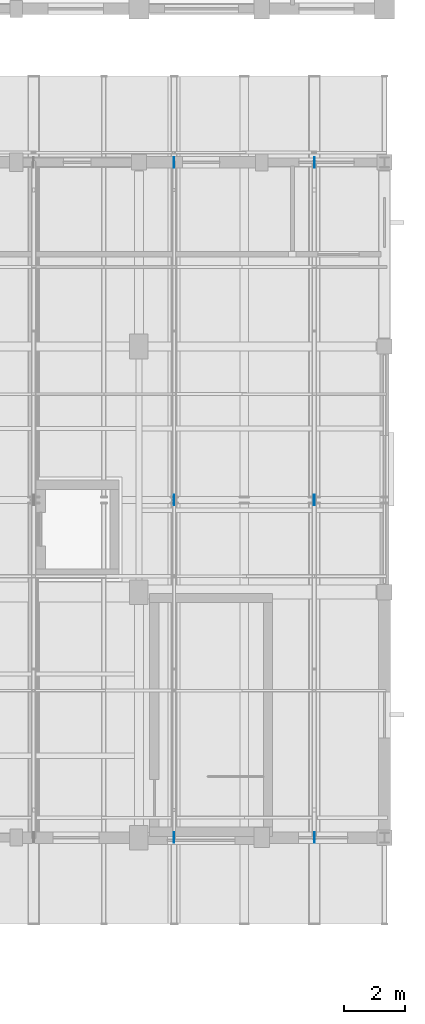
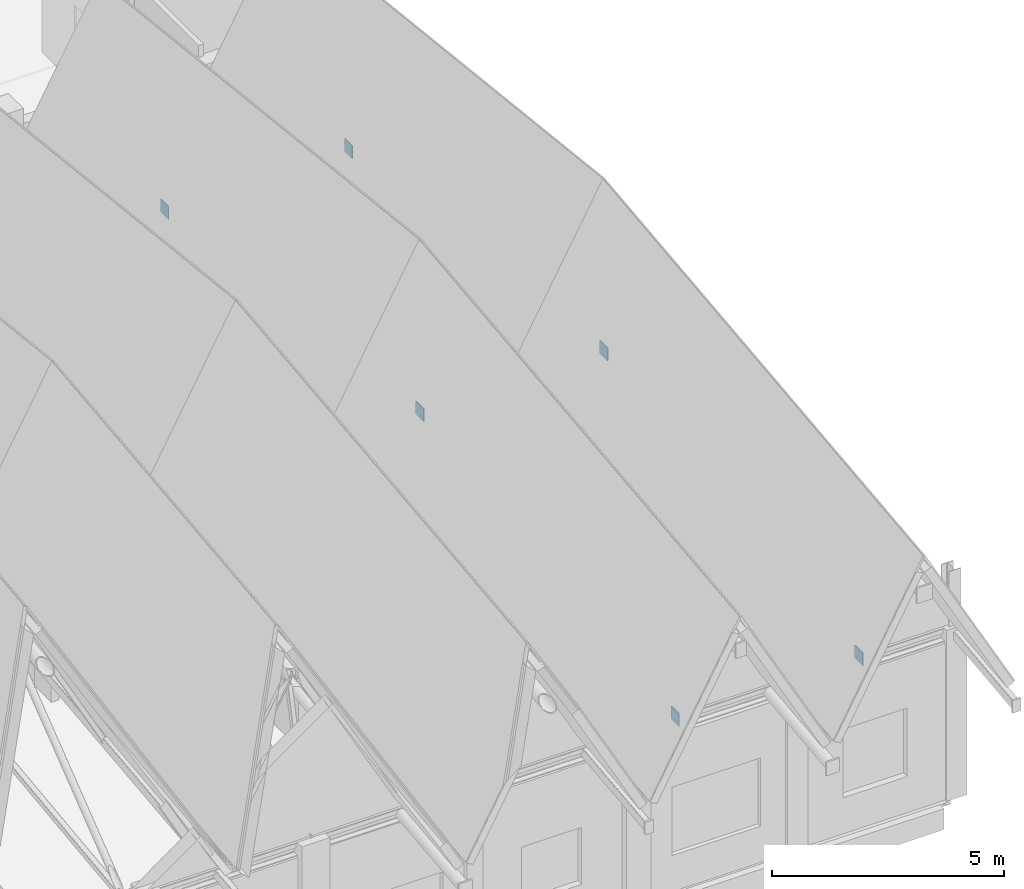
# One storey, part 29 of 48: 6 plates.
"""IFC4 building model written with IfcOpenShell, lengths in metres."""

from ifc_helpers import new_model, si_unit, direction, frame, origin, origin_2d, place, context, subcontext, project, spatial, rectangle, extrude, material, layer, layer_set, type_object, element, save


model = new_model("IFC4")

# Units and contexts
model_context = context("Model", 3, precision=1e-05, world=origin(), true_north=direction((0.0, 1.0)))
body_context = subcontext(model_context, "Body", "Model", "MODEL_VIEW")
ifc_project = project(units=[si_unit("LENGTHUNIT", "METRE"), si_unit("AREAUNIT", "SQUARE_METRE"), si_unit("VOLUMEUNIT", "CUBIC_METRE"), si_unit("PLANEANGLEUNIT", "RADIAN"), si_unit("MASSUNIT", "GRAM", prefix="KILO")], contexts=[model_context])

# Site, building, storey
site_placement = place(None, origin())
site = spatial("IfcSite", under=ifc_project, at=site_placement, CompositionType="ELEMENT")
building_placement = place(site_placement, origin())
building = spatial("IfcBuilding", under=site, at=building_placement, Name="Luwemba Playhouse", CompositionType="ELEMENT")
storey_placement = place(building_placement, frame((0.0, 0.0, 13.800048828125)))
storey = spatial("IfcBuildingStorey", under=building, at=storey_placement, Name="L03", CompositionType="ELEMENT", Elevation=13.800048828125)

# Plates
ifc_material = material(Name="Steel S355", Category="steel")
ifc_layer_1 = layer(ifc_material, 0.01611328125)
ifc_layer_set_1 = layer_set([ifc_layer_1], Name="Steel S355")
plate_type_1 = type_object("IfcPlateType", Name="PLT-GP1", PredefinedType="USERDEFINED", material=ifc_layer_set_1)
for number, where, z_axis, x_axis, name in (
    (1, (165.142822265625, 90.0, 4.22998046875), (0.0, 0.0, 1.0), (1.0, 0.0, 0.0), "Truss node gusset cap plate 0108"),
    (2, (169.71435546875, 90.0, 4.22998046875), (0.0, 0.0, 1.0), (1.0, 0.0, 0.0), "Truss node gusset cap plate 0111"),
):
    element("IfcPlate", number, at=place(storey_placement, frame(where, z_axis=z_axis, x_axis=x_axis)), inside=storey, type_object=plate_type_1, Name=name, ObjectType="GUSSET PLATE", PredefinedType="USERDEFINED", context=body_context, shape_type="SweptSolid", body=[
        extrude(rectangle(XDim=0.01611328125, YDim=0.340087890625, at=origin_2d()), origin(), (0.0, 0.0, 1.0), 0.340087890625),
    ])
ifc_layer_2 = layer(ifc_material, 0.02001953125)
ifc_layer_set_2 = layer_set([ifc_layer_2], Name="Steel S355")
plate_type_2 = type_object("IfcPlateType", Name="PLT-GP2", PredefinedType="USERDEFINED", material=ifc_layer_set_2)
for number, where, z_axis, x_axis, name in (
    (3, (165.142822265625, 68.0, 4.22998046875), (0.0, 0.0, 1.0), (1.0, 0.0, 0.0), "Truss node gusset cap plate 0106"),
    (4, (169.71435546875, 68.0, 4.22998046875), (0.0, 0.0, 1.0), (1.0, 0.0, 0.0), "Truss node gusset cap plate 0109"),
):
    element("IfcPlate", number, at=place(storey_placement, frame(where, z_axis=z_axis, x_axis=x_axis)), inside=storey, type_object=plate_type_2, Name=name, ObjectType="GUSSET PLATE", PredefinedType="USERDEFINED", context=body_context, shape_type="SweptSolid", body=[
        extrude(rectangle(XDim=0.02001953125, YDim=0.340087890625, at=origin_2d()), origin(), (0.0, 0.0, 1.0), 0.340087890625),
    ])
ifc_layer_3 = layer(ifc_material, 0.02490234375)
ifc_layer_set_3 = layer_set([ifc_layer_3], Name="Steel S355")
plate_type_3 = type_object("IfcPlateType", Name="PLT-GP3", PredefinedType="USERDEFINED", material=ifc_layer_set_3)
for number, where, z_axis, x_axis, name in (
    (5, (165.142822265625, 79.0, 5.58349609375), (0.0, 0.0, 1.0), (1.0, 0.0, 0.0), "Truss node gusset cap plate 0107"),
    (6, (169.71435546875, 79.0, 5.58349609375), (0.0, 0.0, 1.0), (1.0, 0.0, 0.0), "Truss node gusset cap plate 0110"),
):
    element("IfcPlate", number, at=place(storey_placement, frame(where, z_axis=z_axis, x_axis=x_axis)), inside=storey, type_object=plate_type_3, Name=name, ObjectType="GUSSET PLATE", PredefinedType="USERDEFINED", context=body_context, shape_type="SweptSolid", body=[
        extrude(rectangle(XDim=0.02490234375, YDim=0.340087890625, at=origin_2d()), origin(), (0.0, 0.0, 1.0), 0.340087890625),
    ])

save(model, "model.ifc")
